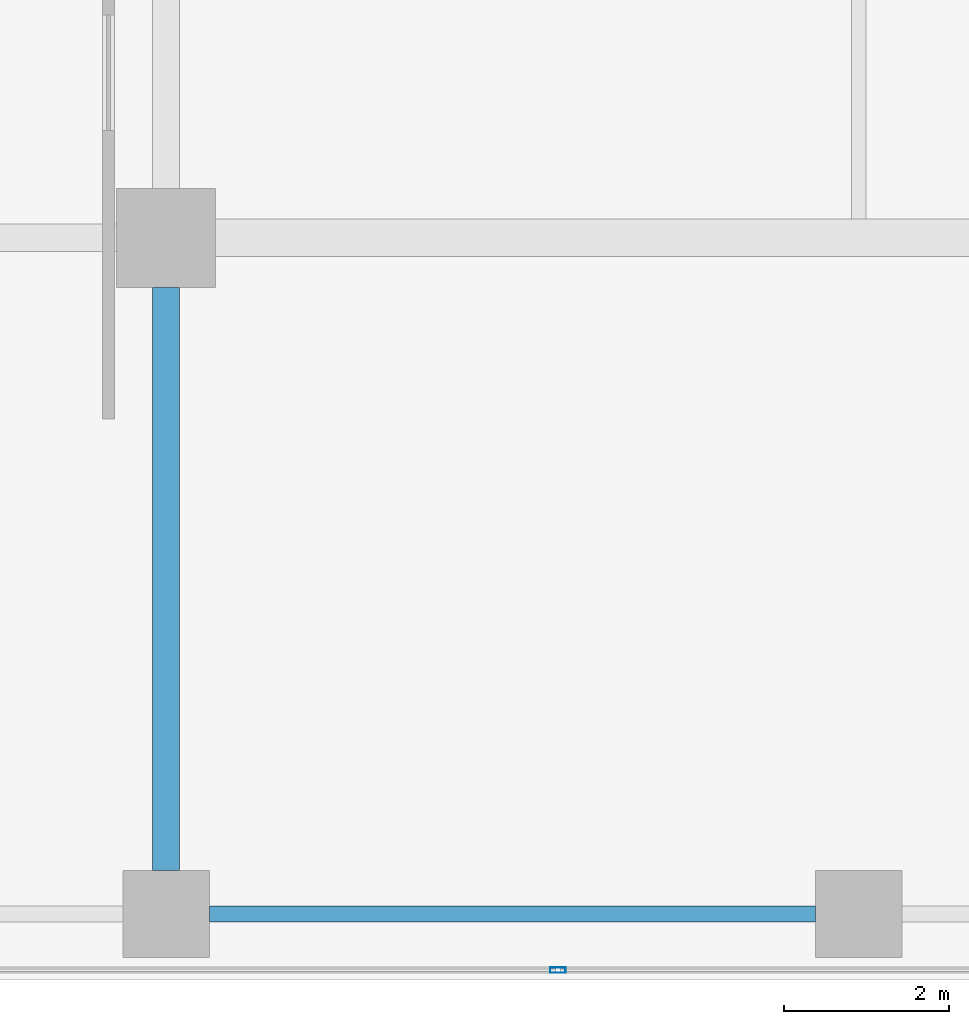
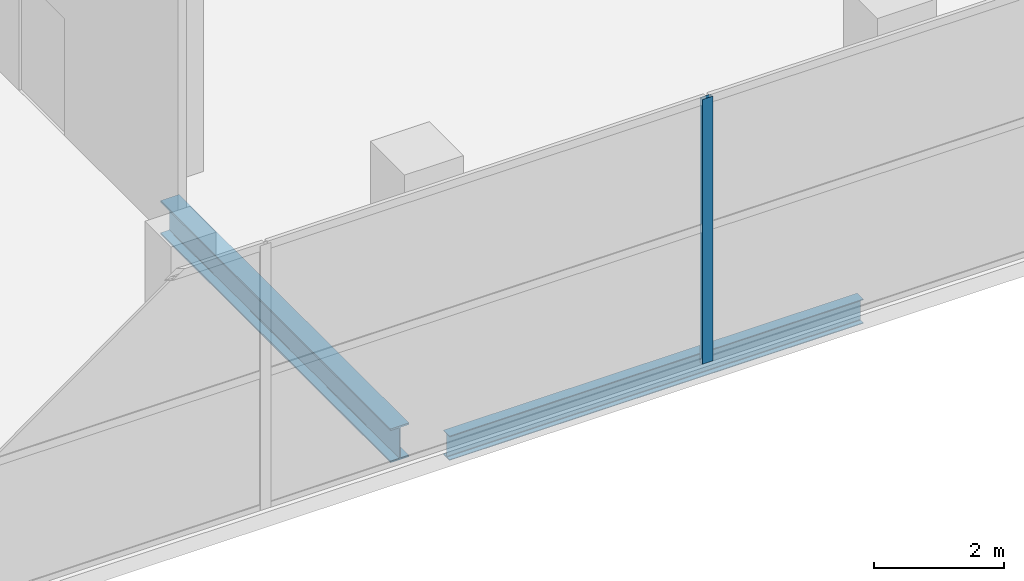
# One storey, part 7 of 40: 2 beams, 1 member, 1 element without a shape of its own.
"""IFC4 building model written with IfcOpenShell, lengths in metres."""

import ifcopenshell
import ifcopenshell.guid

model = None  # the IFC model being written
_history = None  # IfcOwnerHistory: only IFC2X3 demands one
_inside = {}  # id of a spatial element -> (the spatial element, [elements in it])
_under = {}  # id of a project, library or spatial element -> (it, [spatial elements below it])
_declared = {}  # id of a project -> (the project, [libraries it declares])
_typed = {}  # id of a type object -> (the type object, [elements of that type])
_made_of = {}  # id of a material, layer set ... -> (it, [elements and type objects made of it])


def new_model(schema):
    """Start an empty IFC model of exactly this schema.

    Asked for "IFC4X3", IfcOpenShell would pick the latest addendum, in which some entities
    have other attributes; the version numbers below select the first issue.
    IFC2X3 requires an IfcOwnerHistory on every rooted entity: one is made here for all.
    """
    global model, _history
    if schema == "IFC4X3":
        model = ifcopenshell.file(schema_version=(4, 3, 0, 0))
    else:
        model = ifcopenshell.file(schema=schema)
    _inside.clear()
    _under.clear()
    _declared.clear()
    _typed.clear()
    _made_of.clear()
    _history = None
    if model.schema == "IFC2X3":
        org = make("IfcOrganization", Name="unknown")
        user = make(
            "IfcPersonAndOrganization",
            ThePerson=make("IfcPerson", FamilyName="unknown"),
            TheOrganization=org,
        )
        app = make(
            "IfcApplication",
            ApplicationDeveloper=org,
            Version="unknown",
            ApplicationFullName="unknown",
            ApplicationIdentifier="unknown",
        )
        _history = make(
            "IfcOwnerHistory",
            OwningUser=user,
            OwningApplication=app,
            ChangeAction="ADDED",
            CreationDate=0,
        )
    return model


def make(cls, **values):
    """One entity of the class cls with the attributes given. An attribute that is None is left unset."""
    return model.create_entity(
        cls, **{name: value for name, value in values.items() if value is not None}
    )


def rooted(cls, **values):
    """An entity with a GlobalId (a new one), such as an element, a storey or a relation."""
    return make(cls, GlobalId=ifcopenshell.guid.new(), OwnerHistory=_history, **values)


def si_unit(unit_type, name, prefix=None):
    """IfcSIUnit, for example si_unit("LENGTHUNIT", "METRE", prefix="MILLI")."""
    return make("IfcSIUnit", UnitType=unit_type, Prefix=prefix, Name=name)


def assignment(units):
    """IfcUnitAssignment: the units of a project."""
    return None if units is None else make("IfcUnitAssignment", Units=units)


def point(xyz):
    """IfcCartesianPoint."""
    return None if xyz is None else make("IfcCartesianPoint", Coordinates=xyz)


def direction(xyz):
    """IfcDirection."""
    return None if xyz is None else make("IfcDirection", DirectionRatios=xyz)


def frame(location, z_axis=None, x_axis=None):
    """IfcAxis2Placement3D, a coordinate frame: its origin and axes. An axis left out is left unset."""
    return make(
        "IfcAxis2Placement3D",
        Location=point(location),
        Axis=direction(z_axis),
        RefDirection=direction(x_axis),
    )


def frame_2d(location, x_axis=None):
    """IfcAxis2Placement2D, a coordinate frame in the plane: its origin and x axis."""
    return make(
        "IfcAxis2Placement2D", Location=point(location), RefDirection=direction(x_axis)
    )


def origin():
    """The frame at (0, 0, 0) with its axes left unset."""
    return frame((0.0, 0.0, 0.0))


def origin_2d():
    """The frame at (0, 0) in the plane with its x axis left unset."""
    return frame_2d((0.0, 0.0))


def place(relative_to, where):
    """IfcLocalPlacement: puts the frame where relative to a parent placement (None: the world)."""
    return make(
        "IfcLocalPlacement", PlacementRelTo=relative_to, RelativePlacement=where
    )


def context(
    kind, dimensions, precision=None, world=None, true_north=None, identifier=None
):
    """IfcGeometricRepresentationContext, for example the 3D "Model" context."""
    return make(
        "IfcGeometricRepresentationContext",
        ContextIdentifier=identifier,
        ContextType=kind,
        CoordinateSpaceDimension=dimensions,
        Precision=precision,
        WorldCoordinateSystem=world,
        TrueNorth=true_north,
    )


def subcontext(parent, identifier, kind, view, scale=None):
    """IfcGeometricRepresentationSubContext, for example "Body" below "Model"."""
    return make(
        "IfcGeometricRepresentationSubContext",
        ContextIdentifier=identifier,
        ContextType=kind,
        ParentContext=parent,
        TargetScale=scale,
        TargetView=view,
    )


def project(units=None, contexts=None):
    """IfcProject with its units and contexts."""
    return rooted(
        "IfcProject",
        Name="project",
        RepresentationContexts=contexts,
        UnitsInContext=assignment(units),
    )


def spatial(cls, under=None, at=None, **own):
    """A site, building, storey or space (cls), placed at a placement, below another one or the project."""
    s = rooted(cls, ObjectPlacement=at, **own)
    if under is not None:
        _under.setdefault(under.id(), (under, []))[1].append(s)
    return s


def profile(cls, at=None, kind="AREA", **sizes):
    """A parametric profile (cls). Its sizes go by their IFC names, for example OverallWidth=200.0."""
    return make(cls, ProfileType=kind, Position=at, **sizes)


def hollow_rectangle(**sizes):
    """IfcRectangleHollowProfileDef."""
    return profile("IfcRectangleHollowProfileDef", **sizes)


def i_section(**sizes):
    """IfcIShapeProfileDef."""
    return profile("IfcIShapeProfileDef", **sizes)


def extrude(swept, where, along, depth):
    """IfcExtrudedAreaSolid: the profile swept, set in the frame where, extruded along a direction by depth."""
    return make(
        "IfcExtrudedAreaSolid",
        SweptArea=swept,
        Position=where,
        ExtrudedDirection=direction(along),
        Depth=depth,
    )


def shape(context_of_items, identifier, shape_type, items):
    """IfcShapeRepresentation: the items that make up one representation, for example the "Body"."""
    return make(
        "IfcShapeRepresentation",
        ContextOfItems=context_of_items,
        RepresentationIdentifier=identifier,
        RepresentationType=shape_type,
        Items=items,
    )


def material(Name=None, Category=None):
    """IfcMaterial."""
    return make("IfcMaterial", Name=Name, Category=Category)


def layer(
    of_material, thickness, ventilated=None, Name=None, Category=None, Priority=None
):
    """IfcMaterialLayer: one layer of a wall or slab, of a material (None: an air gap)."""
    return make(
        "IfcMaterialLayer",
        Material=of_material,
        LayerThickness=thickness,
        IsVentilated=ventilated,
        Name=Name,
        Category=Category,
        Priority=Priority,
    )


def layer_set(layers, Name=None):
    """IfcMaterialLayerSet."""
    return make("IfcMaterialLayerSet", MaterialLayers=layers, LayerSetName=Name)


def material_profile(
    of_material, cross_section, Name=None, Category=None, Priority=None
):
    """IfcMaterialProfile: a cross section and its material."""
    return make(
        "IfcMaterialProfile",
        Name=Name,
        Material=of_material,
        Profile=cross_section,
        Priority=Priority,
        Category=Category,
    )


def profile_set(profiles, Name=None, composite=None):
    """IfcMaterialProfileSet."""
    return make(
        "IfcMaterialProfileSet",
        Name=Name,
        MaterialProfiles=profiles,
        CompositeProfile=composite,
    )


def made_of(thing, what):
    """Note that an element or type object is made of a material, layer set ...; save() writes the relation."""
    if what is not None:
        _made_of.setdefault(what.id(), (what, []))[1].append(thing)
    return thing


def type_object(cls, material=None, **own):
    """A type object (cls), such as IfcWallType, which elements share."""
    return made_of(rooted(cls, **own), material)


def element(
    cls,
    number,
    at=None,
    inside=None,
    cuts=None,
    type_object=None,
    material=None,
    context=None,
    identifier="Body",
    shape_type=None,
    held_by="IfcProductDefinitionShape",
    body=None,
    shapes=None,
    **own,
):
    """One element of the class cls, such as IfcWall. Its Tag is "e" and its number.

    at: its placement. inside: the storey or other place that contains it. cuts: it is an
    opening in that element (IfcRelVoidsElement). A single representation is given by context,
    identifier, shape_type and body (its items); several are given by shapes. held_by: the class
    of the entity that holds the representations. save() writes the other relations.
    """
    e = rooted(cls, Tag="e%d" % number, ObjectPlacement=at, **own)
    if body is not None:
        shapes = [shape(context, identifier, shape_type, body)]
    if shapes is not None:
        e.Representation = make(held_by, Representations=shapes)
    if inside is not None:
        _inside.setdefault(inside.id(), (inside, []))[1].append(e)
    if cuts is not None:
        rooted(
            "IfcRelVoidsElement", RelatingBuildingElement=cuts, RelatedOpeningElement=e
        )
    if type_object is not None:
        _typed.setdefault(type_object.id(), (type_object, []))[1].append(e)
    return made_of(e, material)


def aggregate(whole, parts):
    """IfcRelAggregates: a whole, such as a stair, and the parts it consists of."""
    return rooted("IfcRelAggregates", RelatingObject=whole, RelatedObjects=parts)


def save(model, path):
    """Write the relations noted so far, then the file.

    IfcRelAggregates (storeys below a building ...), IfcRelContainedInSpatialStructure (elements
    in a storey), IfcRelDefinesByType, IfcRelAssociatesMaterial and IfcRelDeclares: one each for
    every whole, place, type object, material and project.
    """
    for whole, parts in _under.values():
        aggregate(whole, parts)
    for where, things in _inside.values():
        rooted(
            "IfcRelContainedInSpatialStructure",
            RelatedElements=things,
            RelatingStructure=where,
        )
    for kind, things in _typed.values():
        rooted("IfcRelDefinesByType", RelatedObjects=things, RelatingType=kind)
    for what, things in _made_of.values():
        rooted("IfcRelAssociatesMaterial", RelatedObjects=things, RelatingMaterial=what)
    for by, libraries in _declared.values():
        rooted("IfcRelDeclares", RelatingContext=by, RelatedDefinitions=libraries)
    model.write(path)


model = new_model("IFC4")

# Units and contexts
model_context = context("Model", 3, precision=1e-05, world=origin(), true_north=direction((0.0, 1.0)))
body_context = subcontext(model_context, "Body", "Model", "MODEL_VIEW")
ifc_project = project(units=[si_unit("LENGTHUNIT", "METRE"), si_unit("AREAUNIT", "SQUARE_METRE"), si_unit("VOLUMEUNIT", "CUBIC_METRE"), si_unit("PLANEANGLEUNIT", "RADIAN"), si_unit("MASSUNIT", "GRAM", prefix="KILO")], contexts=[model_context])

# Site, building, storey
site_placement = place(None, origin())
site = spatial("IfcSite", under=ifc_project, at=site_placement, CompositionType="ELEMENT")
building_placement = place(site_placement, origin())
building = spatial("IfcBuilding", under=site, at=building_placement, Name="Maruvema Waterfront Hotel and Observation Tower", CompositionType="ELEMENT")
storey_placement = place(building_placement, frame((0.0, 0.0, 5.60009765625)))
storey = spatial("IfcBuildingStorey", under=building, at=storey_placement, Name="L01", CompositionType="ELEMENT", Elevation=5.60009765625)

# Beam
ifc_material_1 = material(Name="Steel ASTM A572 Grade 50", Category="steel")
ifc_material_profile_1 = material_profile(ifc_material_1, i_section(OverallWidth=0.18994140625, OverallDepth=0.45703125, WebThickness=0.009033203125, FlangeThickness=0.014404296875, FilletRadius=0.014892578125, at=origin_2d()), Name="W460x74.0")
ifc_profile_set_1 = profile_set([ifc_material_profile_1], Name="Steel ASTM A572 Grade 50")
beam_type_1 = type_object("IfcBeamType", Name="Perimeter Spandrel Beam W460x74.0", PredefinedType="SPANDREL", material=ifc_profile_set_1)
beam_1_placement = place(storey_placement, frame((25.72509765625, 0.800048828125, -0.508544921875), z_axis=(1.0, 0.0, 0.0), x_axis=(0.0, 1.0, 0.0)))
element("IfcBeam", 1, at=beam_1_placement, inside=storey, type_object=beam_type_1, Name="L01 Floor Girder EW-04", PredefinedType="SPANDREL", context=body_context, shape_type="SweptSolid", body=[
    extrude(i_section(OverallWidth=0.18994140625, OverallDepth=0.45703125, WebThickness=0.009033203125, FlangeThickness=0.014404296875, FilletRadius=0.014892578125, at=origin_2d()), origin(), (0.0, 0.0, 1.0), 7.349853515625),
])

# Curtain wall, member
ifc_material_2 = material(Name="Anodised bronze aluminium and solar-control low-E IGU", Category="aluminium")
ifc_layer = layer(ifc_material_2, 0.159912109375, Name="Podium Waterfront Storefront Curtain Wall System CW-01")
ifc_layer_set = layer_set([ifc_layer], Name="Anodised bronze aluminium and solar-control low-E IGU")
curtain_wall_type = type_object("IfcCurtainWallType", Name="Podium Waterfront Storefront Curtain Wall System CW-01", PredefinedType="USERDEFINED", material=ifc_layer_set)
curtain_wall_placement = place(storey_placement, origin())
curtain_wall = element("IfcCurtainWall", 2, at=curtain_wall_placement, inside=storey, type_object=curtain_wall_type, Name="L01 Curtain Wall CW-L01-S", ObjectType="UNITISED CURTAIN WALL", PredefinedType="USERDEFINED")
ifc_material_3 = material(Name="Anodised architectural bronze aluminium", Category="aluminium")
ifc_material_profile_2 = material_profile(ifc_material_3, hollow_rectangle(XDim=0.070068359375, YDim=0.18994140625, WallThickness=0.00390625, at=origin_2d()), Name="ALU-M70x190")
ifc_profile_set_2 = profile_set([ifc_material_profile_2], Name="Anodised architectural bronze aluminium")
member_type = type_object("IfcMemberType", Name="Podium Storefront Heavy Mullion ALU-M70x190", PredefinedType="MULLION", material=ifc_profile_set_2)
member_placement = place(storey_placement, frame((29.949951171875, 0.1201171875, 0.0), z_axis=(0.0, 0.0, 1.0), x_axis=(0.0, 1.0, 0.0)))
member = element("IfcMember", 3, at=member_placement, type_object=member_type, Name="CW-01 mullion 4", PredefinedType="MULLION", context=body_context, shape_type="SweptSolid", body=[
    extrude(hollow_rectangle(XDim=0.070068359375, YDim=0.18994140625, WallThickness=0.00390625, at=origin_2d()), origin(), (0.0, 0.0, 1.0), 4.969970703125),
])
aggregate(curtain_wall, [member])

# Beam
ifc_material_4 = material(Name="Steel ASTM A572 Grade 50", Category="steel")
ifc_material_profile_3 = material_profile(ifc_material_4, i_section(OverallWidth=0.3291015625, OverallDepth=0.635009765625, WebThickness=0.017822265625, FlangeThickness=0.031005859375, FilletRadius=0.01806640625, at=origin_2d()), Name="W610x241.0")
ifc_profile_set_3 = profile_set([ifc_material_profile_3], Name="Steel ASTM A572 Grade 50")
beam_type_2 = type_object("IfcBeamType", Name="Primary Floor Girder W610x241.0", PredefinedType="BEAM", material=ifc_profile_set_3)
beam_2_placement = place(storey_placement, frame((25.199951171875, 1.324951171875, -0.59765625), z_axis=(0.0, 1.0, 0.0), x_axis=(-1.0, 0.0, 0.0)))
element("IfcBeam", 4, at=beam_2_placement, inside=storey, type_object=beam_type_2, Name="L01 Floor Girder NS-13", PredefinedType="BEAM", context=body_context, shape_type="SweptSolid", body=[
    extrude(i_section(OverallWidth=0.3291015625, OverallDepth=0.635009765625, WebThickness=0.017822265625, FlangeThickness=0.031005859375, FilletRadius=0.01806640625, at=origin_2d()), origin(), (0.0, 0.0, 1.0), 7.074951171875),
])

save(model, "model.ifc")
